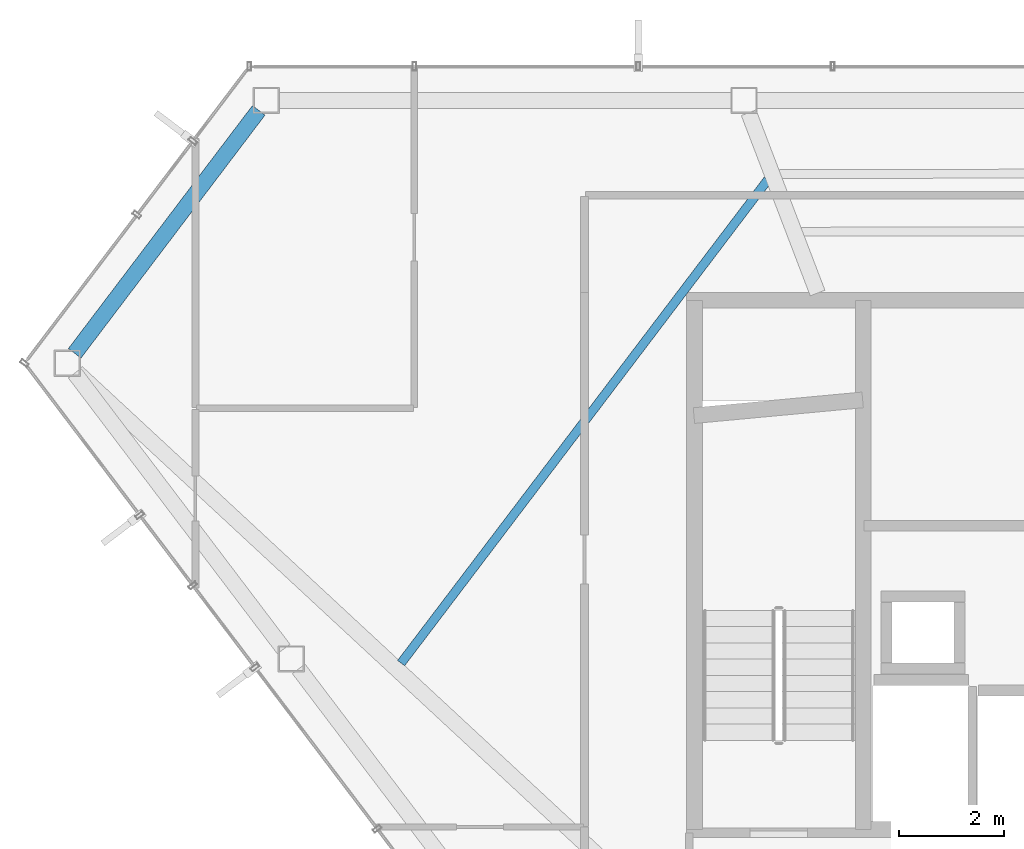
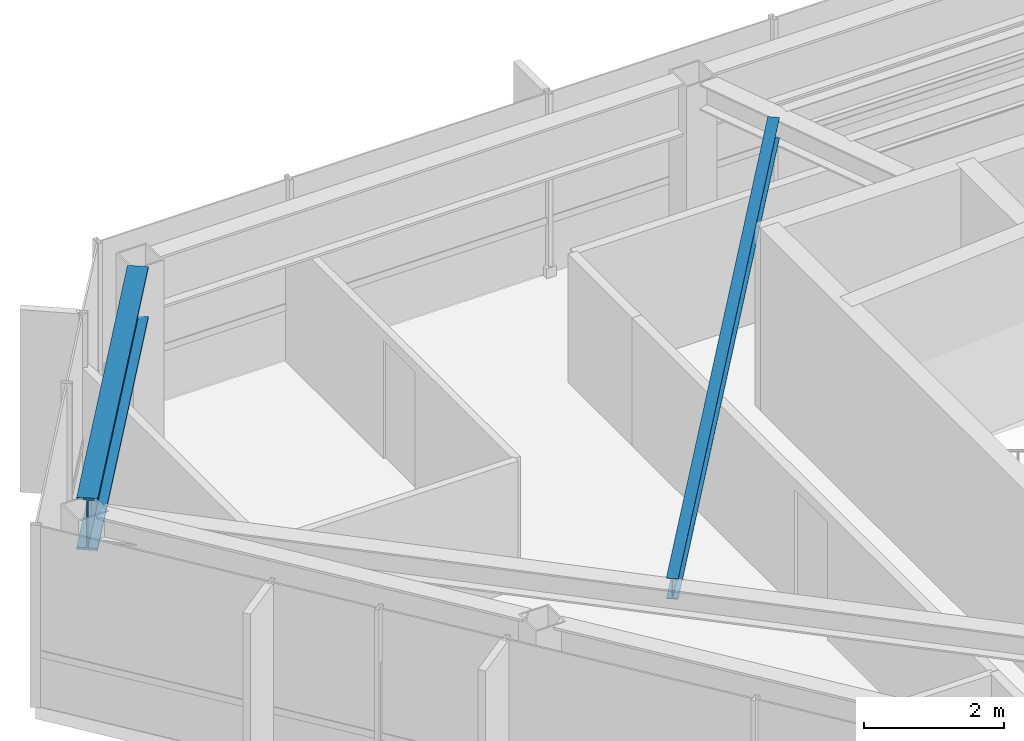
# One storey, part 9 of 25: 2 beams.
"""IFC4 building model written with IfcOpenShell, lengths in metres."""

from ifc_helpers import new_model, si_unit, direction, frame, origin, origin_2d, place, context, subcontext, project, spatial, i_section, extrude, material, material_profile, profile_set, type_object, element, save


model = new_model("IFC4")

# Units and contexts
model_context = context("Model", 3, precision=1e-05, world=origin(), true_north=direction((0.0, 1.0)))
body_context = subcontext(model_context, "Body", "Model", "MODEL_VIEW")
ifc_project = project(units=[si_unit("LENGTHUNIT", "METRE"), si_unit("AREAUNIT", "SQUARE_METRE"), si_unit("VOLUMEUNIT", "CUBIC_METRE"), si_unit("PLANEANGLEUNIT", "RADIAN"), si_unit("MASSUNIT", "GRAM", prefix="KILO")], contexts=[model_context])

# Site, building, storey
site_placement = place(None, origin())
site = spatial("IfcSite", under=ifc_project, at=site_placement, CompositionType="ELEMENT")
building_placement = place(site_placement, origin())
building = spatial("IfcBuilding", under=site, at=building_placement, Name="Zarrinselat Tower", CompositionType="ELEMENT")
storey_placement = place(building_placement, frame((0.0, 0.0, 261.800048828125)))
storey = spatial("IfcBuildingStorey", under=building, at=storey_placement, Name="L66", CompositionType="ELEMENT", Elevation=261.800048828125)

# Beams
ifc_material_1 = material(Name="Steel S460M", Category="steel")
ifc_material_profile_1 = material_profile(ifc_material_1, i_section(OverallWidth=0.302001953125, OverallDepth=0.909912109375, WebThickness=0.02099609375, FlangeThickness=0.0400390625, at=origin_2d()), Name="HEM 900")
ifc_profile_set_1 = profile_set([ifc_material_profile_1], Name="Steel S460M")
beam_type_1 = type_object("IfcBeamType", Name="BM-HEM900", PredefinedType="BEAM", material=ifc_profile_set_1)
beam_1_placement = place(storey_placement, frame((16.819091796875, 42.38916015625, 2.724853515625), z_axis=(0.603839915013, 0.797105612223, 0.0), x_axis=(-0.797105612223, 0.603839915013, 0.0)))
element("IfcBeam", 1, at=beam_1_placement, inside=storey, type_object=beam_type_1, Name="L66 Perimeter Spandrel Girder SP05", PredefinedType="BEAM", context=body_context, shape_type="SweptSolid", body=[
    extrude(i_section(OverallWidth=0.302001953125, OverallDepth=0.909912109375, WebThickness=0.02099609375, FlangeThickness=0.0400390625, at=origin_2d()), origin(), (0.0, 0.0, 1.0), 5.818359375),
])
ifc_material_2 = material(Name="Steel S355J2", Category="steel")
ifc_material_profile_2 = material_profile(ifc_material_2, i_section(OverallWidth=0.169921875, OverallDepth=0.360107421875, WebThickness=0.008056640625, FlangeThickness=0.0126953125, at=origin_2d()), Name="IPE 360")
ifc_profile_set_2 = profile_set([ifc_material_profile_2], Name="Steel S355J2")
beam_type_2 = type_object("IfcBeamType", Name="BM-IPE360", PredefinedType="JOIST", material=ifc_profile_set_2)
beam_2_placement = place(storey_placement, frame((23.050048828125, 36.475830078125, 3.0), z_axis=(0.604393865756, 0.796685668904, 0.0), x_axis=(-0.796685668904, 0.604393865756, 0.0)))
element("IfcBeam", 2, at=beam_2_placement, inside=storey, type_object=beam_type_2, Name="L66 Composite Floor Joist 9-1", PredefinedType="JOIST", context=body_context, shape_type="SweptSolid", body=[
    extrude(i_section(OverallWidth=0.169921875, OverallDepth=0.360107421875, WebThickness=0.008056640625, FlangeThickness=0.0126953125, at=origin_2d()), origin(), (0.0, 0.0, 1.0), 11.577880859375),
])

save(model, "model.ifc")
